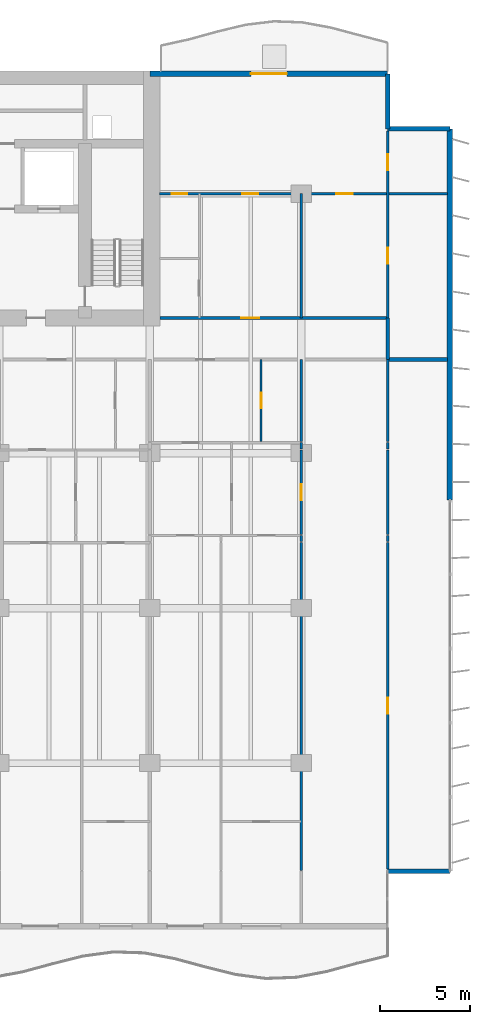
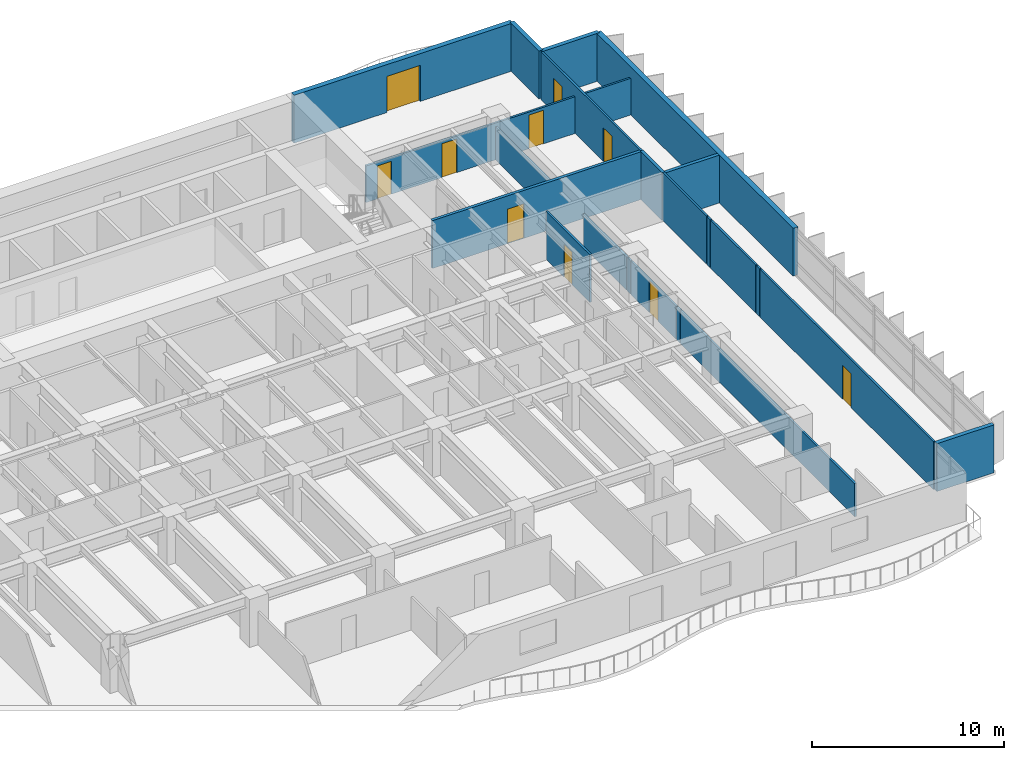
# One storey, part 12 of 17: 22 walls, 10 doors, 10 openings.
"""IFC4 building model written with IfcOpenShell, lengths in metres."""

from ifc_helpers import new_model, si_unit, direction, frame, frame_2d, origin, place, context, subcontext, project, spatial, rectangle, extrude, material, layer, layer_set, type_object, element, fill, save


model = new_model("IFC4")

# Units and contexts
model_context = context("Model", 3, precision=1e-05, world=origin(), true_north=direction((0.0, 1.0)))
body_context = subcontext(model_context, "Body", "Model", "MODEL_VIEW")
ifc_project = project(units=[si_unit("LENGTHUNIT", "METRE"), si_unit("AREAUNIT", "SQUARE_METRE"), si_unit("VOLUMEUNIT", "CUBIC_METRE"), si_unit("PLANEANGLEUNIT", "RADIAN"), si_unit("MASSUNIT", "GRAM", prefix="KILO")], contexts=[model_context])

# Site, building, storey
site_placement = place(None, origin())
site = spatial("IfcSite", under=ifc_project, at=site_placement, CompositionType="ELEMENT")
building_placement = place(site_placement, origin())
building = spatial("IfcBuilding", under=site, at=building_placement, Name="Caelmar Bay Residences", CompositionType="ELEMENT")
storey_placement = place(building_placement, frame((0.0, 0.0, 49.800048828125)))
storey = spatial("IfcBuildingStorey", under=building, at=storey_placement, Name="L12", CompositionType="ELEMENT", Elevation=49.800048828125)

# Wall
ifc_material_1 = material(Name="Double-stud acoustic fire-rated gypsum partition 180 mm")
ifc_layer_1 = layer(ifc_material_1, 0.179931640625)
ifc_layer_set_1 = layer_set([ifc_layer_1], Name="Double-stud acoustic fire-rated gypsum partition 180 mm")
wall_type_1 = type_object("IfcWallType", Name="W-COR-200", PredefinedType="PARTITIONING", material=ifc_layer_set_1)
wall_1_placement = place(storey_placement, frame((72.699951171875, 34.60498046875, 0.0), z_axis=(0.0, 0.0, 1.0), x_axis=(0.0, 1.0, 0.0)))
element("IfcWall", 1, at=wall_1_placement, inside=storey, type_object=wall_type_1, Name="L12 Partition Wall V111", PredefinedType="PARTITIONING", context=body_context, shape_type="SweptSolid", body=[
    extrude(rectangle(XDim=2.294921875, YDim=0.179931640625, at=frame_2d((1.1474609375, 0.0))), origin(), (0.0, 0.0, 1.0), 3.050048828125),
])

# Wall, opening, door
wall_2_placement = place(storey_placement, frame((60.054931640625, 36.89990234375, 0.0), z_axis=(0.0, 0.0, 1.0), x_axis=(1.0, 0.0, 0.0)))
wall_2 = element("IfcWall", 2, at=wall_2_placement, inside=storey, type_object=wall_type_1, Name="L12 Partition Wall H136", PredefinedType="PARTITIONING", context=body_context, shape_type="SweptSolid", body=[
    extrude(rectangle(XDim=12.64501953125, YDim=0.179931640625, at=frame_2d((6.322509765625, 0.0))), origin(), (0.0, 0.0, 1.0), 3.050048828125),
])
opening_1_placement = place(wall_2_placement, frame((4.52001953125, 0.0, 0.0)))
opening_1 = element("IfcOpeningElement", 3, at=opening_1_placement, cuts=wall_2, Name="Opening D-L12-174", PredefinedType="OPENING", context=body_context, shape_type="SweptSolid", body=[
    extrude(rectangle(XDim=1.0, YDim=2.199951171875, at=frame_2d((0.5, 1.10009765625))), frame((0.0, 0.099853515625, 0.0), z_axis=(0.0, -1.0, 0.0), x_axis=(1.0, 0.0, 0.0)), (0.0, 0.0, 1.0), 0.199951171875),
])
ifc_material_2 = material(Name="Fire-rated steel and walnut architectural door assembly", Category="steel")
ifc_layer_2 = layer(ifc_material_2, 0.050048828125)
ifc_layer_set_2 = layer_set([ifc_layer_2], Name="Fire-rated steel and walnut architectural door assembly")
door_type_1 = type_object("IfcDoorType", Name="D-UNIT-1000", OperationType="NOTDEFINED", PredefinedType="DOOR", material=ifc_layer_set_2)
door_1_placement = place(opening_1_placement, origin())
door_1 = element("IfcDoor", 4, at=door_1_placement, inside=storey, type_object=door_type_1, Name="L12 Residence EA Kitchen Door", OperationType="SINGLE_SWING_LEFT", OverallHeight=2.199951171875, OverallWidth=1.0, PredefinedType="DOOR", context=body_context, shape_type="SweptSolid", body=[
    extrude(rectangle(XDim=1.0, YDim=2.199951171875, at=frame_2d((0.5, 1.10009765625))), frame((0.0, 0.02490234375, 0.0), z_axis=(0.0, -1.0, 0.0), x_axis=(1.0, 0.0, 0.0)), (0.0, 0.0, 1.0), 0.050048828125),
])
fill(opening_1, door_1)

# Walls
ifc_material_3 = material(Name="Precast concrete f'c 40 MPa (6,000 psi)", Category="concrete")
ifc_layer_3 = layer(ifc_material_3, 0.25)
ifc_layer_set_3 = layer_set([ifc_layer_3], Name="Precast concrete f'c 40 MPa (6,000 psi)")
wall_type_2 = type_object("IfcWallType", Name="W-EXT-250", PredefinedType="ELEMENTEDWALL", material=ifc_layer_set_3)
wall_3_placement = place(storey_placement, frame((72.699951171875, 6.199951171875, 0.0), z_axis=(0.0, 0.0, 1.0), x_axis=(1.0, 0.0, 0.0)))
element("IfcWall", 5, at=wall_3_placement, inside=storey, type_object=wall_type_2, Name="L12 SE Notch Return Wall", PredefinedType="ELEMENTEDWALL", context=body_context, shape_type="SweptSolid", body=[
    extrude(rectangle(XDim=3.449951171875, YDim=0.25, at=frame_2d((1.72509765625, 0.0))), origin(), (0.0, 0.0, 1.0), 3.050048828125),
])
wall_4_placement = place(storey_placement, frame((72.699951171875, 50.449951171875, 0.0), z_axis=(0.0, 0.0, 1.0), x_axis=(0.0, -1.0, 0.0)))
element("IfcWall", 6, at=wall_4_placement, inside=storey, type_object=wall_type_2, Name="L12 NNE-V Notch Wall", PredefinedType="ELEMENTEDWALL", context=body_context, shape_type="SweptSolid", body=[
    extrude(rectangle(XDim=3.050048828125, YDim=0.25, at=frame_2d((1.52490234375, 0.0))), origin(), (0.0, 0.0, 1.0), 3.050048828125),
])
wall_5_placement = place(storey_placement, frame((72.699951171875, 47.39990234375, 0.0), z_axis=(0.0, 0.0, 1.0), x_axis=(1.0, 0.0, 0.0)))
element("IfcWall", 7, at=wall_5_placement, inside=storey, type_object=wall_type_2, Name="L12 NNE-H Notch Wall", PredefinedType="ELEMENTEDWALL", context=body_context, shape_type="SweptSolid", body=[
    extrude(rectangle(XDim=3.449951171875, YDim=0.25, at=frame_2d((1.72509765625, 0.0))), origin(), (0.0, 0.0, 1.0), 3.050048828125),
])
ifc_layer_4 = layer(ifc_material_3, 0.300048828125)
ifc_layer_set_4 = layer_set([ifc_layer_4], Name="Precast concrete f'c 40 MPa (6,000 psi)")
wall_type_3 = type_object("IfcWallType", Name="W-EXT-300", PredefinedType="STANDARD", material=ifc_layer_set_4)
wall_6_placement = place(storey_placement, frame((76.14990234375, 47.39990234375, 0.0), z_axis=(0.0, 0.0, 1.0), x_axis=(0.0, -1.0, 0.0)))
element("IfcWall", 8, at=wall_6_placement, inside=storey, type_object=wall_type_3, Name="L12 East Rear Exterior Wall", PredefinedType="STANDARD", context=body_context, shape_type="SweptSolid", body=[
    extrude(rectangle(XDim=20.599853515625, YDim=0.300048828125, at=frame_2d((10.2998046875, 0.0))), origin(), (0.0, 0.0, 1.0), 3.050048828125),
])

# Wall, opening, door
wall_7_placement = place(storey_placement, frame((59.5, 50.449951171875, 0.0), z_axis=(0.0, 0.0, 1.0), x_axis=(1.0, 0.0, 0.0)))
wall_7 = element("IfcWall", 9, at=wall_7_placement, inside=storey, type_object=wall_type_3, Name="L12 North-East Wing Exterior Wall", PredefinedType="STANDARD", context=body_context, shape_type="SweptSolid", body=[
    extrude(rectangle(XDim=13.199951171875, YDim=0.300048828125, at=frame_2d((6.60009765625, 0.0))), origin(), (0.0, 0.0, 1.0), 3.050048828125),
])
opening_2_placement = place(wall_7_placement, frame((5.60009765625, 0.0, 0.0)))
opening_2 = element("IfcOpeningElement", 10, at=opening_2_placement, cuts=wall_7, Name="Opening L12-BDNE", PredefinedType="OPENING", context=body_context, shape_type="SweptSolid", body=[
    extrude(rectangle(XDim=2.0, YDim=2.300048828125, at=frame_2d((1.0, 1.14990234375))), frame((0.0, 0.159912109375, 0.0), z_axis=(0.0, -1.0, 0.0), x_axis=(1.0, 0.0, 0.0)), (0.0, 0.0, 1.0), 0.320068359375),
])
ifc_material_4 = material(Name="Anodised bronze thermally broken sliding glass door", Category="glass")
ifc_layer_5 = layer(ifc_material_4, 0.050048828125)
ifc_layer_set_5 = layer_set([ifc_layer_5], Name="Anodised bronze thermally broken sliding glass door")
door_type_2 = type_object("IfcDoorType", Name="D-BAL-2000", OperationType="DOUBLE_DOOR_SLIDING", PredefinedType="DOOR", material=ifc_layer_set_5)
door_2_placement = place(opening_2_placement, origin())
door_2 = element("IfcDoor", 11, at=door_2_placement, inside=storey, type_object=door_type_2, Name="L12 North-East Balcony Door", OperationType="DOUBLE_DOOR_SLIDING", OverallHeight=2.300048828125, OverallWidth=2.0, PredefinedType="DOOR", context=body_context, shape_type="SweptSolid", body=[
    extrude(rectangle(XDim=2.0, YDim=2.300048828125, at=frame_2d((1.0, 1.14990234375))), frame((0.0, 0.02490234375, 0.0), z_axis=(0.0, -1.0, 0.0), x_axis=(1.0, 0.0, 0.0)), (0.0, 0.0, 1.0), 0.050048828125),
])
fill(opening_2, door_2)

ifc_material_5 = material(Name="Acoustic metal-stud gypsum partition 120 mm")
ifc_layer_6 = layer(ifc_material_5, 0.1201171875)
ifc_layer_set_6 = layer_set([ifc_layer_6], Name="Acoustic metal-stud gypsum partition 120 mm")
wall_type_4 = type_object("IfcWallType", Name="W-PRT-120", PredefinedType="PARTITIONING", material=ifc_layer_set_6)
wall_8_placement = place(storey_placement, frame((65.6708984375, 30.0400390625, 0.0), z_axis=(0.0, 0.0, 1.0), x_axis=(0.0, 1.0, 0.0)))
wall_8 = element("IfcWall", 12, at=wall_8_placement, inside=storey, type_object=wall_type_4, Name="L12 Partition Wall V098", PredefinedType="PARTITIONING", context=body_context, shape_type="SweptSolid", body=[
    extrude(rectangle(XDim=4.56005859375, YDim=0.1201171875, at=frame_2d((2.280029296875, 0.0))), origin(), (0.0, 0.0, 1.0), 3.050048828125),
])
opening_3_placement = place(wall_8_placement, frame((1.85498046875, 0.0, 0.0)))
opening_3 = element("IfcOpeningElement", 13, at=opening_3_placement, cuts=wall_8, Name="Opening D-L12-157", PredefinedType="OPENING", context=body_context, shape_type="SweptSolid", body=[
    extrude(rectangle(XDim=0.85009765625, YDim=2.10009765625, at=frame_2d((0.425048828125, 1.050048828125))), frame((0.0, 0.070068359375, 0.0), z_axis=(0.0, -1.0, 0.0), x_axis=(1.0, 0.0, 0.0)), (0.0, 0.0, 1.0), 0.14013671875),
])
ifc_material_6 = material(Name="Solid walnut timber interior door leaf and frame", Category="wood")
ifc_layer_7 = layer(ifc_material_6, 0.050048828125)
ifc_layer_set_7 = layer_set([ifc_layer_7], Name="Solid walnut timber interior door leaf and frame")
door_type_3 = type_object("IfcDoorType", Name="D-BATH-850", OperationType="NOTDEFINED", PredefinedType="DOOR", material=ifc_layer_set_7)
door_3_placement = place(opening_3_placement, origin())
door_3 = element("IfcDoor", 14, at=door_3_placement, inside=storey, type_object=door_type_3, Name="L12 Residence 05 Bathroom Door", OperationType="SINGLE_SWING_RIGHT", OverallHeight=2.10009765625, OverallWidth=0.85009765625, PredefinedType="DOOR", context=body_context, shape_type="SweptSolid", body=[
    extrude(rectangle(XDim=0.85009765625, YDim=2.10009765625, at=frame_2d((0.425048828125, 1.050048828125))), frame((0.0, 0.02490234375, 0.0), z_axis=(0.0, -1.0, 0.0), x_axis=(1.0, 0.0, 0.0)), (0.0, 0.0, 1.0), 0.050048828125),
])
fill(opening_3, door_3)

# Walls
wall_9_placement = place(storey_placement, frame((67.89990234375, 6.239990234375, 0.0), z_axis=(0.0, 0.0, 1.0), x_axis=(0.0, 1.0, 0.0)))
element("IfcWall", 15, at=wall_9_placement, inside=storey, type_object=wall_type_4, Name="L12 Partition Wall V100", PredefinedType="PARTITIONING", context=body_context, shape_type="SweptSolid", body=[
    extrude(rectangle(XDim=18.18994140625, YDim=0.1201171875, at=frame_2d((9.094970703125, 0.0))), origin(), (0.0, 0.0, 1.0), 2.10986328125),
])
wall_10_placement = place(storey_placement, frame((67.89990234375, 24.489990234375, 0.0), z_axis=(0.0, 0.0, 1.0), x_axis=(0.0, 1.0, 0.0)))
element("IfcWall", 16, at=wall_10_placement, inside=storey, type_object=wall_type_4, Name="L12 Partition Wall V101", PredefinedType="PARTITIONING", context=body_context, shape_type="SweptSolid", body=[
    extrude(rectangle(XDim=0.340087890625, YDim=0.1201171875, at=frame_2d((0.169921875, 0.0))), origin(), (0.0, 0.0, 1.0), 2.10986328125),
])

# Wall, opening, door
wall_11_placement = place(storey_placement, frame((67.89990234375, 24.889892578125, 0.0), z_axis=(0.0, 0.0, 1.0), x_axis=(0.0, 1.0, 0.0)))
wall_11 = element("IfcWall", 17, at=wall_11_placement, inside=storey, type_object=wall_type_4, Name="L12 Partition Wall V102", PredefinedType="PARTITIONING", context=body_context, shape_type="SweptSolid", body=[
    extrude(rectangle(XDim=4.690185546875, YDim=0.1201171875, at=frame_2d((2.34521484375, 0.0))), origin(), (0.0, 0.0, 1.0), 2.10986328125),
])
opening_4_placement = place(wall_11_placement, frame((1.89501953125, 0.0, 0.0)))
opening_4 = element("IfcOpeningElement", 18, at=opening_4_placement, cuts=wall_11, Name="Opening D-L12-163", PredefinedType="OPENING", context=body_context, shape_type="SweptSolid", body=[
    extrude(rectangle(XDim=0.89990234375, YDim=2.06005859375, at=frame_2d((0.449951171875, 1.030029296875))), frame((0.0, 0.070068359375, 0.0), z_axis=(0.0, -1.0, 0.0), x_axis=(1.0, 0.0, 0.0)), (0.0, 0.0, 1.0), 0.14013671875),
])
ifc_layer_8 = layer(ifc_material_6, 0.050048828125)
ifc_layer_set_8 = layer_set([ifc_layer_8], Name="Solid walnut timber interior door leaf and frame")
door_type_4 = type_object("IfcDoorType", Name="D-ROOM-900", OperationType="NOTDEFINED", PredefinedType="DOOR", material=ifc_layer_set_8)
door_4_placement = place(opening_4_placement, origin())
door_4 = element("IfcDoor", 19, at=door_4_placement, inside=storey, type_object=door_type_4, Name="L12 Residence 05 East Apartment Hall Door", OperationType="SINGLE_SWING_RIGHT", OverallHeight=2.06005859375, OverallWidth=0.89990234375, PredefinedType="DOOR", context=body_context, shape_type="SweptSolid", body=[
    extrude(rectangle(XDim=0.89990234375, YDim=2.06005859375, at=frame_2d((0.449951171875, 1.030029296875))), frame((0.0, 0.02490234375, 0.0), z_axis=(0.0, -1.0, 0.0), x_axis=(1.0, 0.0, 0.0)), (0.0, 0.0, 1.0), 0.050048828125),
])
fill(opening_4, door_4)

# Walls
wall_12_placement = place(storey_placement, frame((67.89990234375, 29.639892578125, 0.0), z_axis=(0.0, 0.0, 1.0), x_axis=(0.0, 1.0, 0.0)))
element("IfcWall", 20, at=wall_12_placement, inside=storey, type_object=wall_type_4, Name="L12 Partition Wall V103", PredefinedType="PARTITIONING", context=body_context, shape_type="SweptSolid", body=[
    extrude(rectangle(XDim=0.340087890625, YDim=0.1201171875, at=frame_2d((0.169921875, 0.0))), origin(), (0.0, 0.0, 1.0), 2.10986328125),
])
wall_13_placement = place(storey_placement, frame((67.89990234375, 30.0400390625, 0.0), z_axis=(0.0, 0.0, 1.0), x_axis=(0.0, 1.0, 0.0)))
element("IfcWall", 21, at=wall_13_placement, inside=storey, type_object=wall_type_4, Name="L12 Partition Wall V104", PredefinedType="PARTITIONING", context=body_context, shape_type="SweptSolid", body=[
    extrude(rectangle(XDim=4.56005859375, YDim=0.1201171875, at=frame_2d((2.280029296875, 0.0))), origin(), (0.0, 0.0, 1.0), 2.10986328125),
])
wall_14_placement = place(storey_placement, frame((67.89990234375, 36.89990234375, 0.0), z_axis=(0.0, 0.0, 1.0), x_axis=(0.0, 1.0, 0.0)))
element("IfcWall", 22, at=wall_14_placement, inside=storey, type_object=wall_type_4, Name="L12 Partition Wall V105", PredefinedType="PARTITIONING", context=body_context, shape_type="SweptSolid", body=[
    extrude(rectangle(XDim=6.900146484375, YDim=0.1201171875, at=frame_2d((3.4501953125, 0.0))), origin(), (0.0, 0.0, 1.0), 2.10986328125),
])

# Wall, opening, door
wall_15_placement = place(storey_placement, frame((72.699951171875, 6.320068359375, 0.0), z_axis=(0.0, 0.0, 1.0), x_axis=(0.0, 1.0, 0.0)))
wall_15 = element("IfcWall", 23, at=wall_15_placement, inside=storey, type_object=wall_type_4, Name="L12 Partition Wall V106", PredefinedType="PARTITIONING", context=body_context, shape_type="SweptSolid", body=[
    extrude(rectangle(XDim=18.10986328125, YDim=0.1201171875, at=frame_2d((9.054931640625, 0.0))), origin(), (0.0, 0.0, 1.0), 3.050048828125),
])
opening_5_placement = place(wall_15_placement, frame((8.60498046875, 0.0, 0.0)))
opening_5 = element("IfcOpeningElement", 24, at=opening_5_placement, cuts=wall_15, Name="Opening D-L12-165", PredefinedType="OPENING", context=body_context, shape_type="SweptSolid", body=[
    extrude(rectangle(XDim=0.89990234375, YDim=2.14990234375, at=frame_2d((0.449951171875, 1.074951171875))), frame((0.0, 0.070068359375, 0.0), z_axis=(0.0, -1.0, 0.0), x_axis=(1.0, 0.0, 0.0)), (0.0, 0.0, 1.0), 0.14013671875),
])
door_5_placement = place(opening_5_placement, origin())
door_5 = element("IfcDoor", 25, at=door_5_placement, inside=storey, type_object=door_type_4, Name="L12 Residence 05 Penthouse East Salon Door", OperationType="SINGLE_SWING_RIGHT", OverallHeight=2.14990234375, OverallWidth=0.89990234375, PredefinedType="DOOR", context=body_context, shape_type="SweptSolid", body=[
    extrude(rectangle(XDim=0.89990234375, YDim=2.14990234375, at=frame_2d((0.449951171875, 1.074951171875))), frame((0.0, 0.02490234375, 0.0), z_axis=(0.0, -1.0, 0.0), x_axis=(1.0, 0.0, 0.0)), (0.0, 0.0, 1.0), 0.050048828125),
])
fill(opening_5, door_5)

# Walls
wall_16_placement = place(storey_placement, frame((72.699951171875, 24.489990234375, 0.0), z_axis=(0.0, 0.0, 1.0), x_axis=(0.0, 1.0, 0.0)))
element("IfcWall", 26, at=wall_16_placement, inside=storey, type_object=wall_type_4, Name="L12 Partition Wall V107", PredefinedType="PARTITIONING", context=body_context, shape_type="SweptSolid", body=[
    extrude(rectangle(XDim=0.340087890625, YDim=0.1201171875, at=frame_2d((0.169921875, 0.0))), origin(), (0.0, 0.0, 1.0), 3.050048828125),
])
wall_17_placement = place(storey_placement, frame((72.699951171875, 24.889892578125, 0.0), z_axis=(0.0, 0.0, 1.0), x_axis=(0.0, 1.0, 0.0)))
element("IfcWall", 27, at=wall_17_placement, inside=storey, type_object=wall_type_4, Name="L12 Partition Wall V108", PredefinedType="PARTITIONING", context=body_context, shape_type="SweptSolid", body=[
    extrude(rectangle(XDim=4.690185546875, YDim=0.1201171875, at=frame_2d((2.34521484375, 0.0))), origin(), (0.0, 0.0, 1.0), 3.050048828125),
])
wall_18_placement = place(storey_placement, frame((72.699951171875, 29.639892578125, 0.0), z_axis=(0.0, 0.0, 1.0), x_axis=(0.0, 1.0, 0.0)))
element("IfcWall", 28, at=wall_18_placement, inside=storey, type_object=wall_type_4, Name="L12 Partition Wall V109", PredefinedType="PARTITIONING", context=body_context, shape_type="SweptSolid", body=[
    extrude(rectangle(XDim=0.340087890625, YDim=0.1201171875, at=frame_2d((0.169921875, 0.0))), origin(), (0.0, 0.0, 1.0), 3.050048828125),
])
wall_19_placement = place(storey_placement, frame((72.699951171875, 30.0400390625, 0.0), z_axis=(0.0, 0.0, 1.0), x_axis=(0.0, 1.0, 0.0)))
element("IfcWall", 29, at=wall_19_placement, inside=storey, type_object=wall_type_4, Name="L12 Partition Wall V110", PredefinedType="PARTITIONING", context=body_context, shape_type="SweptSolid", body=[
    extrude(rectangle(XDim=4.56005859375, YDim=0.1201171875, at=frame_2d((2.280029296875, 0.0))), origin(), (0.0, 0.0, 1.0), 3.050048828125),
])

# Wall, openings, doors
wall_20_placement = place(storey_placement, frame((72.699951171875, 36.905029296875, 0.0), z_axis=(0.0, 0.0, 1.0), x_axis=(0.0, 1.0, 0.0)))
wall_20 = element("IfcWall", 30, at=wall_20_placement, inside=storey, type_object=wall_type_4, Name="L12 Partition Wall V112", PredefinedType="PARTITIONING", context=body_context, shape_type="SweptSolid", body=[
    extrude(rectangle(XDim=10.375, YDim=0.1201171875, at=frame_2d((5.1875, 0.0))), origin(), (0.0, 0.0, 1.0), 3.050048828125),
])
opening_6_placement = place(wall_20_placement, frame((2.99755859375, 0.0, 0.0)))
opening_6 = element("IfcOpeningElement", 31, at=opening_6_placement, cuts=wall_20, Name="Opening D-L12-178", PredefinedType="OPENING", context=body_context, shape_type="SweptSolid", body=[
    extrude(rectangle(XDim=0.89990234375, YDim=2.14990234375, at=frame_2d((0.449951171875, 1.074951171875))), frame((0.0, 0.070068359375, 0.0), z_axis=(0.0, -1.0, 0.0), x_axis=(1.0, 0.0, 0.0)), (0.0, 0.0, 1.0), 0.14013671875),
])
opening_7_placement = place(wall_20_placement, frame((8.18505859375, 0.0, 0.0)))
opening_7 = element("IfcOpeningElement", 32, at=opening_7_placement, cuts=wall_20, Name="Opening D-L12-179", PredefinedType="OPENING", context=body_context, shape_type="SweptSolid", body=[
    extrude(rectangle(XDim=0.89990234375, YDim=2.14990234375, at=frame_2d((0.449951171875, 1.074951171875))), frame((0.0, 0.070068359375, 0.0), z_axis=(0.0, -1.0, 0.0), x_axis=(1.0, 0.0, 0.0)), (0.0, 0.0, 1.0), 0.14013671875),
])
door_6_placement = place(opening_6_placement, origin())
door_6 = element("IfcDoor", 33, at=door_6_placement, inside=storey, type_object=door_type_4, Name="L12 Residence EA Sun Study Door", OperationType="SINGLE_SWING_LEFT", OverallHeight=2.14990234375, OverallWidth=0.89990234375, PredefinedType="DOOR", context=body_context, shape_type="SweptSolid", body=[
    extrude(rectangle(XDim=0.89990234375, YDim=2.14990234375, at=frame_2d((0.449951171875, 1.074951171875))), frame((0.0, 0.02490234375, 0.0), z_axis=(0.0, -1.0, 0.0), x_axis=(1.0, 0.0, 0.0)), (0.0, 0.0, 1.0), 0.050048828125),
])
fill(opening_6, door_6)
door_7_placement = place(opening_7_placement, origin())
door_7 = element("IfcDoor", 34, at=door_7_placement, inside=storey, type_object=door_type_4, Name="L12 Residence EA North Sitting Alcove Door", OperationType="SINGLE_SWING_RIGHT", OverallHeight=2.14990234375, OverallWidth=0.89990234375, PredefinedType="DOOR", context=body_context, shape_type="SweptSolid", body=[
    extrude(rectangle(XDim=0.89990234375, YDim=2.14990234375, at=frame_2d((0.449951171875, 1.074951171875))), frame((0.0, 0.02490234375, 0.0), z_axis=(0.0, -1.0, 0.0), x_axis=(1.0, 0.0, 0.0)), (0.0, 0.0, 1.0), 0.050048828125),
])
fill(opening_7, door_7)

wall_21_placement = place(storey_placement, frame((60.044921875, 43.800048828125, 0.0), z_axis=(0.0, 0.0, 1.0), x_axis=(1.0, 0.0, 0.0)))
wall_21 = element("IfcWall", 35, at=wall_21_placement, inside=storey, type_object=wall_type_4, Name="L12 Partition Wall H140", PredefinedType="PARTITIONING", context=body_context, shape_type="SweptSolid", body=[
    extrude(rectangle(XDim=15.9599609375, YDim=0.1201171875, at=frame_2d((7.97998046875, 0.0))), origin(), (0.0, 0.0, 1.0), 2.3388671875),
])
opening_8_placement = place(wall_21_placement, frame((9.804931640625, 0.0, 0.0)))
opening_8 = element("IfcOpeningElement", 36, at=opening_8_placement, cuts=wall_21, Name="Opening D-L12-173", PredefinedType="OPENING", context=body_context, shape_type="SweptSolid", body=[
    extrude(rectangle(XDim=0.89990234375, YDim=2.14990234375, at=frame_2d((0.449951171875, 1.074951171875))), frame((0.0, 0.070068359375, 0.0), z_axis=(0.0, -1.0, 0.0), x_axis=(1.0, 0.0, 0.0)), (0.0, 0.0, 1.0), 0.14013671875),
])
opening_9_placement = place(wall_21_placement, frame((4.580078125, 0.0, 0.0)))
opening_9 = element("IfcOpeningElement", 37, at=opening_9_placement, cuts=wall_21, Name="Opening D-L12-175", PredefinedType="OPENING", context=body_context, shape_type="SweptSolid", body=[
    extrude(rectangle(XDim=0.89990234375, YDim=2.14990234375, at=frame_2d((0.449951171875, 1.074951171875))), frame((0.0, 0.070068359375, 0.0), z_axis=(0.0, -1.0, 0.0), x_axis=(1.0, 0.0, 0.0)), (0.0, 0.0, 1.0), 0.14013671875),
])
opening_10_placement = place(wall_21_placement, frame((0.677490234375, 0.0, 0.0)))
opening_10 = element("IfcOpeningElement", 38, at=opening_10_placement, cuts=wall_21, Name="Opening D-L12-177", PredefinedType="OPENING", context=body_context, shape_type="SweptSolid", body=[
    extrude(rectangle(XDim=0.85009765625, YDim=2.10009765625, at=frame_2d((0.425048828125, 1.050048828125))), frame((0.0, 0.070068359375, 0.0), z_axis=(0.0, -1.0, 0.0), x_axis=(1.0, 0.0, 0.0)), (0.0, 0.0, 1.0), 0.14013671875),
])
door_8_placement = place(opening_10_placement, origin())
door_8 = element("IfcDoor", 39, at=door_8_placement, inside=storey, type_object=door_type_3, Name="L12 Residence EA Bathroom Door", OperationType="SINGLE_SWING_RIGHT", OverallHeight=2.10009765625, OverallWidth=0.85009765625, PredefinedType="DOOR", context=body_context, shape_type="SweptSolid", body=[
    extrude(rectangle(XDim=0.85009765625, YDim=2.10009765625, at=frame_2d((0.425048828125, 1.050048828125))), frame((0.0, 0.02490234375, 0.0), z_axis=(0.0, -1.0, 0.0), x_axis=(1.0, 0.0, 0.0)), (0.0, 0.0, 1.0), 0.050048828125),
])
fill(opening_10, door_8)
door_9_placement = place(opening_8_placement, origin())
door_9 = element("IfcDoor", 40, at=door_9_placement, inside=storey, type_object=door_type_4, Name="L12 Residence EA Study Door", OperationType="SINGLE_SWING_RIGHT", OverallHeight=2.14990234375, OverallWidth=0.89990234375, PredefinedType="DOOR", context=body_context, shape_type="SweptSolid", body=[
    extrude(rectangle(XDim=0.89990234375, YDim=2.14990234375, at=frame_2d((0.449951171875, 1.074951171875))), frame((0.0, 0.02490234375, 0.0), z_axis=(0.0, -1.0, 0.0), x_axis=(1.0, 0.0, 0.0)), (0.0, 0.0, 1.0), 0.050048828125),
])
fill(opening_8, door_9)
door_10_placement = place(opening_9_placement, origin())
door_10 = element("IfcDoor", 41, at=door_10_placement, inside=storey, type_object=door_type_4, Name="L12 Residence EA Studio Living and Sleeping Room Door", OperationType="SINGLE_SWING_RIGHT", OverallHeight=2.14990234375, OverallWidth=0.89990234375, PredefinedType="DOOR", context=body_context, shape_type="SweptSolid", body=[
    extrude(rectangle(XDim=0.89990234375, YDim=2.14990234375, at=frame_2d((0.449951171875, 1.074951171875))), frame((0.0, 0.02490234375, 0.0), z_axis=(0.0, -1.0, 0.0), x_axis=(1.0, 0.0, 0.0)), (0.0, 0.0, 1.0), 0.050048828125),
])
fill(opening_9, door_10)

# Wall
ifc_material_7 = material(Name="Acoustic twin-stud fire-rated inter-tenancy partition 200 mm")
ifc_layer_9 = layer(ifc_material_7, 0.199951171875)
ifc_layer_set_9 = layer_set([ifc_layer_9], Name="Acoustic twin-stud fire-rated inter-tenancy partition 200 mm")
wall_type_5 = type_object("IfcWallType", Name="W-PTY-200", PredefinedType="PARTITIONING", material=ifc_layer_set_9)
wall_22_placement = place(storey_placement, frame((72.705078125, 34.60009765625, 0.0), z_axis=(0.0, 0.0, 1.0), x_axis=(1.0, 0.0, 0.0)))
element("IfcWall", 42, at=wall_22_placement, inside=storey, type_object=wall_type_5, Name="L12 Partition Wall H134", PredefinedType="PARTITIONING", context=body_context, shape_type="SweptSolid", body=[
    extrude(rectangle(XDim=3.2998046875, YDim=0.199951171875, at=frame_2d((1.64990234375, 0.0))), origin(), (0.0, 0.0, 1.0), 3.050048828125),
])

save(model, "model.ifc")
